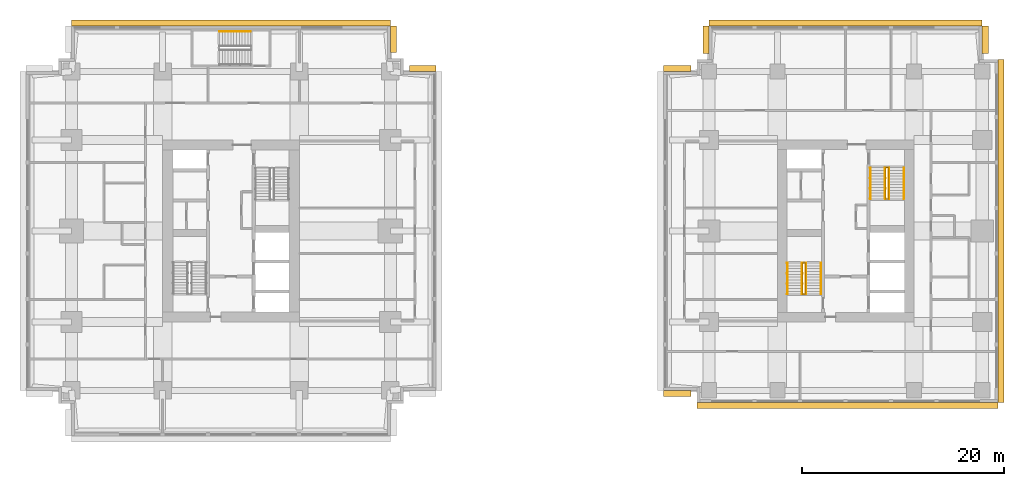
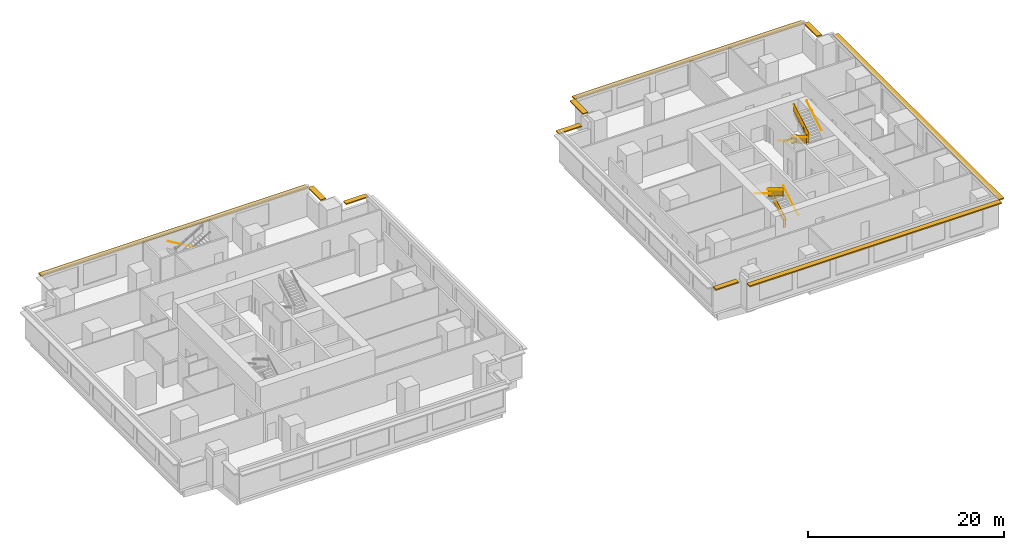
# One storey, part 10 of 10: 11 railings, 10 shading devices.
"""IFC4 building model written with IfcOpenShell, lengths in metres."""

from ifc_helpers import new_model, si_unit, direction, frame, origin, origin_2d, place, context, subcontext, project, spatial, polyline, rectangle, circle, outline, extrude, material, layer, layer_set, type_object, element, save


model = new_model("IFC4")

# Units and contexts
model_context = context("Model", 3, precision=1e-05, world=origin(), true_north=direction((0.0, 1.0)))
body_context = subcontext(model_context, "Body", "Model", "MODEL_VIEW")
ifc_project = project(units=[si_unit("LENGTHUNIT", "METRE"), si_unit("AREAUNIT", "SQUARE_METRE"), si_unit("VOLUMEUNIT", "CUBIC_METRE"), si_unit("PLANEANGLEUNIT", "RADIAN"), si_unit("MASSUNIT", "GRAM", prefix="KILO")], contexts=[model_context])

# Site, building, storey
site_placement = place(None, origin())
site = spatial("IfcSite", under=ifc_project, at=site_placement, CompositionType="ELEMENT")
building_placement = place(site_placement, origin())
building = spatial("IfcBuilding", under=site, at=building_placement, Name="Namib Vertical Campus", CompositionType="ELEMENT")
storey_placement = place(building_placement, frame((0.0, 0.0, 149.0)))
storey = spatial("IfcBuildingStorey", under=building, at=storey_placement, Name="L35", CompositionType="ELEMENT", Elevation=149.0)

# Railings
ifc_material_1 = material(Name="Steel handrail", Category="steel")
railing_type_1 = type_object("IfcRailingType", Name="Handrail 900", PredefinedType="HANDRAIL", material=ifc_material_1)
railing_1_placement = place(storey_placement, frame((78.550048828125, 14.0, 0.166748046875)))
element("IfcRailing", 1, at=railing_1_placement, inside=storey, type_object=railing_type_1, Name="Handrail HR1 B-S1 L35 1", PredefinedType="HANDRAIL", context=body_context, shape_type="SweptSolid", body=[
    extrude(circle(Radius=0.02392578125, at=origin_2d()), frame((0.0, 0.0, 0.8759765625), z_axis=(0.0, 0.859308565015, 0.511457515432), x_axis=(-1.0, 0.0, 0.0)), (0.0, 0.0, 1.0), 3.58447265625),
    extrude(circle(Radius=0.008056640625, at=origin_2d()), frame((0.0, 0.0, 0.8759765625), z_axis=(1.0, 0.0, 0.0), x_axis=(0.0, 0.0, 1.0)), (0.0, 0.0, 1.0), 0.050048828125),
    extrude(circle(Radius=0.008056640625, at=origin_2d()), frame((0.0, 1.026611328125, 1.48681640625), z_axis=(1.0, 0.0, 0.0), x_axis=(0.0, 0.0, 1.0)), (0.0, 0.0, 1.0), 0.050048828125),
    extrude(circle(Radius=0.008056640625, at=origin_2d()), frame((0.0, 2.053466796875, 2.09814453125), z_axis=(1.0, 0.0, 0.0), x_axis=(0.0, 0.0, 1.0)), (0.0, 0.0, 1.0), 0.050048828125),
    extrude(circle(Radius=0.008056640625, at=origin_2d()), frame((0.0, 3.080078125, 2.708984375), z_axis=(1.0, 0.0, 0.0), x_axis=(0.0, 0.0, 1.0)), (0.0, 0.0, 1.0), 0.050048828125),
])
railing_2_placement = place(storey_placement, frame((75.25, 17.080078125, 2.166748046875)))
element("IfcRailing", 2, at=railing_2_placement, inside=storey, type_object=railing_type_1, Name="Handrail HR1 B-S1 L35 2", PredefinedType="HANDRAIL", context=body_context, shape_type="SweptSolid", body=[
    extrude(circle(Radius=0.02392578125, at=origin_2d()), frame((0.0, 0.0, 0.8759765625), z_axis=(0.0, -0.859308565015, 0.511457515432), x_axis=(1.0, 0.0, 0.0)), (0.0, 0.0, 1.0), 3.58447265625),
    extrude(circle(Radius=0.008056640625, at=origin_2d()), frame((0.0, 0.0, 0.8759765625), z_axis=(-1.0, 0.0, 0.0), x_axis=(0.0, 0.0, 1.0)), (0.0, 0.0, 1.0), 0.050048828125),
    extrude(circle(Radius=0.008056640625, at=origin_2d()), frame((0.0, -1.026611328125, 1.48681640625), z_axis=(-1.0, 0.0, 0.0), x_axis=(0.0, 0.0, 1.0)), (0.0, 0.0, 1.0), 0.050048828125),
    extrude(circle(Radius=0.008056640625, at=origin_2d()), frame((0.0, -2.053466796875, 2.09814453125), z_axis=(-1.0, 0.0, 0.0), x_axis=(0.0, 0.0, 1.0)), (0.0, 0.0, 1.0), 0.050048828125),
    extrude(circle(Radius=0.008056640625, at=origin_2d()), frame((0.0, -3.080078125, 2.708984375), z_axis=(-1.0, 0.0, 0.0), x_axis=(0.0, 0.0, 1.0)), (0.0, 0.0, 1.0), 0.050048828125),
])
railing_3_placement = place(storey_placement, frame((77.10009765625, 14.0, 0.166748046875)))
element("IfcRailing", 3, at=railing_3_placement, inside=storey, type_object=railing_type_1, Name="Handrail HR1 B-S1 L35 1 at the well", PredefinedType="HANDRAIL", context=body_context, shape_type="SweptSolid", body=[
    extrude(circle(Radius=0.02392578125, at=origin_2d()), frame((0.0, 0.0, 0.8759765625), z_axis=(0.0, 0.859308565015, 0.511457515432), x_axis=(-1.0, 0.0, 0.0)), (0.0, 0.0, 1.0), 3.58447265625),
    extrude(circle(Radius=0.008056640625, at=origin_2d()), frame((0.0, 0.0, 0.8759765625), z_axis=(-1.0, 0.0, 0.0), x_axis=(0.0, 0.0, 1.0)), (0.0, 0.0, 1.0), 0.0400390625),
    extrude(circle(Radius=0.008056640625, at=origin_2d()), frame((0.0, 1.026611328125, 1.48681640625), z_axis=(-1.0, 0.0, 0.0), x_axis=(0.0, 0.0, 1.0)), (0.0, 0.0, 1.0), 0.0400390625),
    extrude(circle(Radius=0.008056640625, at=origin_2d()), frame((0.0, 2.053466796875, 2.09814453125), z_axis=(-1.0, 0.0, 0.0), x_axis=(0.0, 0.0, 1.0)), (0.0, 0.0, 1.0), 0.0400390625),
    extrude(circle(Radius=0.008056640625, at=origin_2d()), frame((0.0, 3.080078125, 2.708984375), z_axis=(-1.0, 0.0, 0.0), x_axis=(0.0, 0.0, 1.0)), (0.0, 0.0, 1.0), 0.0400390625),
])
railing_4_placement = place(storey_placement, frame((76.699951171875, 17.080078125, 2.166748046875)))
element("IfcRailing", 4, at=railing_4_placement, inside=storey, type_object=railing_type_1, Name="Handrail HR1 B-S1 L35 2 at the well", PredefinedType="HANDRAIL", context=body_context, shape_type="SweptSolid", body=[
    extrude(circle(Radius=0.02392578125, at=origin_2d()), frame((0.0, 0.0, 0.8759765625), z_axis=(0.0, -0.859308565015, 0.511457515432), x_axis=(1.0, 0.0, 0.0)), (0.0, 0.0, 1.0), 3.58447265625),
    extrude(circle(Radius=0.008056640625, at=origin_2d()), frame((0.0, 0.0, 0.8759765625), z_axis=(1.0, 0.0, 0.0), x_axis=(0.0, 0.0, 1.0)), (0.0, 0.0, 1.0), 0.0400390625),
    extrude(circle(Radius=0.008056640625, at=origin_2d()), frame((0.0, -1.026611328125, 1.48681640625), z_axis=(1.0, 0.0, 0.0), x_axis=(0.0, 0.0, 1.0)), (0.0, 0.0, 1.0), 0.0400390625),
    extrude(circle(Radius=0.008056640625, at=origin_2d()), frame((0.0, -2.053466796875, 2.09814453125), z_axis=(1.0, 0.0, 0.0), x_axis=(0.0, 0.0, 1.0)), (0.0, 0.0, 1.0), 0.0400390625),
    extrude(circle(Radius=0.008056640625, at=origin_2d()), frame((0.0, -3.080078125, 2.708984375), z_axis=(1.0, 0.0, 0.0), x_axis=(0.0, 0.0, 1.0)), (0.0, 0.0, 1.0), 0.0400390625),
])
railing_5_placement = place(storey_placement, frame((83.449951171875, 26.5, 0.166748046875)))
element("IfcRailing", 5, at=railing_5_placement, inside=storey, type_object=railing_type_1, Name="Handrail HR1 B-S2 L35 1", PredefinedType="HANDRAIL", context=body_context, shape_type="SweptSolid", body=[
    extrude(circle(Radius=0.02392578125, at=origin_2d()), frame((0.0, 0.0, 0.8759765625), z_axis=(0.0, -0.859308565015, 0.511457515432), x_axis=(1.0, 0.0, 0.0)), (0.0, 0.0, 1.0), 3.58447265625),
    extrude(circle(Radius=0.008056640625, at=origin_2d()), frame((0.0, 0.0, 0.8759765625), z_axis=(-1.0, 0.0, 0.0), x_axis=(0.0, 0.0, 1.0)), (0.0, 0.0, 1.0), 0.050048828125),
    extrude(circle(Radius=0.008056640625, at=origin_2d()), frame((0.0, -1.026611328125, 1.48681640625), z_axis=(-1.0, 0.0, 0.0), x_axis=(0.0, 0.0, 1.0)), (0.0, 0.0, 1.0), 0.050048828125),
    extrude(circle(Radius=0.008056640625, at=origin_2d()), frame((0.0, -2.053466796875, 2.09814453125), z_axis=(-1.0, 0.0, 0.0), x_axis=(0.0, 0.0, 1.0)), (0.0, 0.0, 1.0), 0.050048828125),
    extrude(circle(Radius=0.008056640625, at=origin_2d()), frame((0.0, -3.080078125, 2.708984375), z_axis=(-1.0, 0.0, 0.0), x_axis=(0.0, 0.0, 1.0)), (0.0, 0.0, 1.0), 0.050048828125),
])
railing_6_placement = place(storey_placement, frame((86.75, 23.419921875, 2.166748046875)))
element("IfcRailing", 6, at=railing_6_placement, inside=storey, type_object=railing_type_1, Name="Handrail HR1 B-S2 L35 2", PredefinedType="HANDRAIL", context=body_context, shape_type="SweptSolid", body=[
    extrude(circle(Radius=0.02392578125, at=origin_2d()), frame((0.0, 0.0, 0.8759765625), z_axis=(0.0, 0.859308565015, 0.511457515432), x_axis=(-1.0, 0.0, 0.0)), (0.0, 0.0, 1.0), 3.58447265625),
    extrude(circle(Radius=0.008056640625, at=origin_2d()), frame((0.0, 0.0, 0.8759765625), z_axis=(1.0, 0.0, 0.0), x_axis=(0.0, 0.0, 1.0)), (0.0, 0.0, 1.0), 0.050048828125),
    extrude(circle(Radius=0.008056640625, at=origin_2d()), frame((0.0, 1.026611328125, 1.48681640625), z_axis=(1.0, 0.0, 0.0), x_axis=(0.0, 0.0, 1.0)), (0.0, 0.0, 1.0), 0.050048828125),
    extrude(circle(Radius=0.008056640625, at=origin_2d()), frame((0.0, 2.053466796875, 2.09814453125), z_axis=(1.0, 0.0, 0.0), x_axis=(0.0, 0.0, 1.0)), (0.0, 0.0, 1.0), 0.050048828125),
    extrude(circle(Radius=0.008056640625, at=origin_2d()), frame((0.0, 3.080078125, 2.708984375), z_axis=(1.0, 0.0, 0.0), x_axis=(0.0, 0.0, 1.0)), (0.0, 0.0, 1.0), 0.050048828125),
])
railing_7_placement = place(storey_placement, frame((84.89990234375, 26.5, 0.166748046875)))
element("IfcRailing", 7, at=railing_7_placement, inside=storey, type_object=railing_type_1, Name="Handrail HR1 B-S2 L35 1 at the well", PredefinedType="HANDRAIL", context=body_context, shape_type="SweptSolid", body=[
    extrude(circle(Radius=0.02392578125, at=origin_2d()), frame((0.0, 0.0, 0.8759765625), z_axis=(0.0, -0.859308565015, 0.511457515432), x_axis=(1.0, 0.0, 0.0)), (0.0, 0.0, 1.0), 3.58447265625),
    extrude(circle(Radius=0.008056640625, at=origin_2d()), frame((0.0, 0.0, 0.8759765625), z_axis=(1.0, 0.0, 0.0), x_axis=(0.0, 0.0, 1.0)), (0.0, 0.0, 1.0), 0.0400390625),
    extrude(circle(Radius=0.008056640625, at=origin_2d()), frame((0.0, -1.026611328125, 1.48681640625), z_axis=(1.0, 0.0, 0.0), x_axis=(0.0, 0.0, 1.0)), (0.0, 0.0, 1.0), 0.0400390625),
    extrude(circle(Radius=0.008056640625, at=origin_2d()), frame((0.0, -2.053466796875, 2.09814453125), z_axis=(1.0, 0.0, 0.0), x_axis=(0.0, 0.0, 1.0)), (0.0, 0.0, 1.0), 0.0400390625),
    extrude(circle(Radius=0.008056640625, at=origin_2d()), frame((0.0, -3.080078125, 2.708984375), z_axis=(1.0, 0.0, 0.0), x_axis=(0.0, 0.0, 1.0)), (0.0, 0.0, 1.0), 0.0400390625),
])
railing_8_placement = place(storey_placement, frame((85.300048828125, 23.419921875, 2.166748046875)))
element("IfcRailing", 8, at=railing_8_placement, inside=storey, type_object=railing_type_1, Name="Handrail HR1 B-S2 L35 2 at the well", PredefinedType="HANDRAIL", context=body_context, shape_type="SweptSolid", body=[
    extrude(circle(Radius=0.02392578125, at=origin_2d()), frame((0.0, 0.0, 0.8759765625), z_axis=(0.0, 0.859308565015, 0.511457515432), x_axis=(-1.0, 0.0, 0.0)), (0.0, 0.0, 1.0), 3.58447265625),
    extrude(circle(Radius=0.008056640625, at=origin_2d()), frame((0.0, 0.0, 0.8759765625), z_axis=(-1.0, 0.0, 0.0), x_axis=(0.0, 0.0, 1.0)), (0.0, 0.0, 1.0), 0.0400390625),
    extrude(circle(Radius=0.008056640625, at=origin_2d()), frame((0.0, 1.026611328125, 1.48681640625), z_axis=(-1.0, 0.0, 0.0), x_axis=(0.0, 0.0, 1.0)), (0.0, 0.0, 1.0), 0.0400390625),
    extrude(circle(Radius=0.008056640625, at=origin_2d()), frame((0.0, 2.053466796875, 2.09814453125), z_axis=(-1.0, 0.0, 0.0), x_axis=(0.0, 0.0, 1.0)), (0.0, 0.0, 1.0), 0.0400390625),
    extrude(circle(Radius=0.008056640625, at=origin_2d()), frame((0.0, 3.080078125, 2.708984375), z_axis=(-1.0, 0.0, 0.0), x_axis=(0.0, 0.0, 1.0)), (0.0, 0.0, 1.0), 0.0400390625),
])
railing_9_placement = place(storey_placement, frame((22.199951171875, 39.949951171875, 0.166748046875)))
element("IfcRailing", 9, at=railing_9_placement, inside=storey, type_object=railing_type_1, Name="Handrail HR1 A-S3 L35 1", PredefinedType="HANDRAIL", context=body_context, shape_type="SweptSolid", body=[
    extrude(circle(Radius=0.02392578125, at=origin_2d()), frame((0.0, 0.0, 0.8759765625), z_axis=(-0.859290745958, 0.0, 0.51148745235), x_axis=(0.0, -1.0, 0.0)), (0.0, 0.0, 1.0), 3.584228515625),
    extrude(circle(Radius=0.008056640625, at=origin_2d()), frame((0.0, 0.0, 0.8759765625), z_axis=(0.0, 1.0, 0.0), x_axis=(0.0, 0.0, 1.0)), (0.0, 0.0, 1.0), 0.050048828125),
    extrude(circle(Radius=0.008056640625, at=origin_2d()), frame((-1.026611328125, 0.0, 1.48681640625), z_axis=(0.0, 1.0, 0.0), x_axis=(0.0, 0.0, 1.0)), (0.0, 0.0, 1.0), 0.050048828125),
    extrude(circle(Radius=0.008056640625, at=origin_2d()), frame((-2.05322265625, 0.0, 2.09814453125), z_axis=(0.0, 1.0, 0.0), x_axis=(0.0, 0.0, 1.0)), (0.0, 0.0, 1.0), 0.050048828125),
    extrude(circle(Radius=0.008056640625, at=origin_2d()), frame((-3.079833984375, 0.0, 2.708984375), z_axis=(0.0, 1.0, 0.0), x_axis=(0.0, 0.0, 1.0)), (0.0, 0.0, 1.0), 0.050048828125),
])
ifc_material_2 = material(Name="Steel balustrade", Category="steel")
railing_type_2 = type_object("IfcRailingType", Name="Stair guard 1100", PredefinedType="GUARDRAIL", material=ifc_material_2)
railing_10_placement = place(storey_placement, frame((76.75, 14.0, 0.0)))
element("IfcRailing", 10, at=railing_10_placement, inside=storey, type_object=railing_type_2, Name="Stair guard GR1 B-S1 L35", PredefinedType="GUARDRAIL", context=body_context, shape_type="SweptSolid", body=[
    extrude(circle(Radius=0.02392578125, at=origin_2d()), frame((0.0, 0.0, 1.076171875), z_axis=(1.0, 0.0, 0.0), x_axis=(0.0, 1.0, 0.0)), (0.0, 0.0, 1.0), 0.300048828125),
    extrude(outline(polyline([(0.02099609375, 0.050048828125), (0.279052734375, 0.050048828125), (0.279052734375, 1.052001953125), (0.02099609375, 1.052001953125), (0.02099609375, 0.050048828125)])), frame((0.0, 0.010009765625, 0.0), z_axis=(0.0, -1.0, 0.0), x_axis=(1.0, 0.0, 0.0)), (0.0, 0.0, 1.0), 0.02001953125),
    extrude(circle(Radius=0.02392578125, at=origin_2d()), frame((0.300048828125, 0.0, 1.076171875), z_axis=(0.0, 0.0, 1.0), x_axis=(1.0, 0.0, 0.0)), (0.0, 0.0, 1.0), 0.166748046875),
    extrude(circle(Radius=0.02392578125, at=origin_2d()), frame((0.300048828125, 0.0, 1.24267578125), z_axis=(0.0, 0.859308565015, 0.511457515432), x_axis=(-1.0, 0.0, 0.0)), (0.0, 0.0, 1.0), 3.58447265625),
    extrude(outline(polyline([(0.02099609375, 0.0625), (3.05908203125, 1.870849609375), (3.05908203125, 2.872802734375), (0.02099609375, 1.064453125), (0.02099609375, 0.0625)])), frame((0.2900390625, 0.0, 0.166748046875), z_axis=(1.0, 0.0, 0.0), x_axis=(0.0, 1.0, 0.0)), (0.0, 0.0, 1.0), 0.02001953125),
    extrude(circle(Radius=0.02392578125, at=origin_2d()), frame((0.300048828125, 3.080078125, 3.076171875), z_axis=(-1.0, 0.0, 0.0), x_axis=(0.0, -1.0, 0.0)), (0.0, 0.0, 1.0), 0.300048828125),
    extrude(outline(polyline([(0.02099609375, 0.050048828125), (0.279052734375, 0.050048828125), (0.279052734375, 1.052001953125), (0.02099609375, 1.052001953125), (0.02099609375, 0.050048828125)])), frame((0.300048828125, 3.070068359375, 2.0), z_axis=(0.0, 1.0, 0.0), x_axis=(-1.0, 0.0, 0.0)), (0.0, 0.0, 1.0), 0.02001953125),
    extrude(circle(Radius=0.02392578125, at=origin_2d()), frame((0.0, 3.080078125, 3.076171875), z_axis=(0.0, 0.0, 1.0), x_axis=(1.0, 0.0, 0.0)), (0.0, 0.0, 1.0), 0.166748046875),
    extrude(circle(Radius=0.02392578125, at=origin_2d()), frame((0.0, 3.080078125, 3.24267578125), z_axis=(0.0, -0.859308565015, 0.511457515432), x_axis=(1.0, 0.0, 0.0)), (0.0, 0.0, 1.0), 3.58447265625),
    extrude(outline(polyline([(0.02099609375, 0.0625), (3.05908203125, 1.870849609375), (3.05908203125, 2.872802734375), (0.02099609375, 1.064453125), (0.02099609375, 0.0625)])), frame((0.010009765625, 3.080078125, 2.166748046875), z_axis=(-1.0, 0.0, 0.0), x_axis=(0.0, -1.0, 0.0)), (0.0, 0.0, 1.0), 0.02001953125),
    extrude(circle(Radius=0.02392578125, at=origin_2d()), frame((0.0, 0.0, 5.076171875), z_axis=(0.0, -1.0, 0.0), x_axis=(1.0, 0.0, 0.0)), (0.0, 0.0, 1.0), 0.050048828125),
    extrude(outline(polyline([(0.02099609375, 0.050048828125), (0.029052734375, 0.050048828125), (0.029052734375, 1.052001953125), (0.02099609375, 1.052001953125), (0.02099609375, 0.050048828125)])), frame((0.010009765625, 0.0, 4.0), z_axis=(-1.0, 0.0, 0.0), x_axis=(0.0, -1.0, 0.0)), (0.0, 0.0, 1.0), 0.02001953125),
    extrude(circle(Radius=0.02099609375, at=origin_2d()), origin(), (0.0, 0.0, 1.0), 1.052001953125),
    extrude(circle(Radius=0.02099609375, at=origin_2d()), frame((0.300048828125, 0.0, 0.166748046875)), (0.0, 0.0, 1.0), 1.052001953125),
    extrude(circle(Radius=0.02099609375, at=origin_2d()), frame((0.300048828125, 1.026611328125, 0.666748046875)), (0.0, 0.0, 1.0), 1.1630859375),
    extrude(circle(Radius=0.02099609375, at=origin_2d()), frame((0.300048828125, 2.053466796875, 1.33349609375)), (0.0, 0.0, 1.0), 1.107421875),
    extrude(circle(Radius=0.02099609375, at=origin_2d()), frame((0.300048828125, 3.080078125, 2.0)), (0.0, 0.0, 1.0), 1.052001953125),
    extrude(circle(Radius=0.02099609375, at=origin_2d()), frame((0.0, 3.080078125, 2.166748046875)), (0.0, 0.0, 1.0), 1.052001953125),
    extrude(circle(Radius=0.02099609375, at=origin_2d()), frame((0.0, 2.053466796875, 2.666748046875)), (0.0, 0.0, 1.0), 1.1630859375),
    extrude(circle(Radius=0.02099609375, at=origin_2d()), frame((0.0, 1.026611328125, 3.33349609375)), (0.0, 0.0, 1.0), 1.107421875),
    extrude(circle(Radius=0.02099609375, at=origin_2d()), frame((0.0, 0.0, 4.0)), (0.0, 0.0, 1.0), 1.052001953125),
    extrude(circle(Radius=0.02099609375, at=origin_2d()), frame((0.0, -0.050048828125, 4.0)), (0.0, 0.0, 1.0), 1.052001953125),
])
railing_11_placement = place(storey_placement, frame((85.25, 26.5, 0.0)))
element("IfcRailing", 11, at=railing_11_placement, inside=storey, type_object=railing_type_2, Name="Stair guard GR1 B-S2 L35", PredefinedType="GUARDRAIL", context=body_context, shape_type="SweptSolid", body=[
    extrude(circle(Radius=0.02392578125, at=origin_2d()), frame((0.0, 0.0, 1.076171875), z_axis=(-1.0, 0.0, 0.0), x_axis=(0.0, -1.0, 0.0)), (0.0, 0.0, 1.0), 0.300048828125),
    extrude(outline(polyline([(0.02099609375, 0.050048828125), (0.279052734375, 0.050048828125), (0.279052734375, 1.052001953125), (0.02099609375, 1.052001953125), (0.02099609375, 0.050048828125)])), frame((0.0, -0.010009765625, 0.0), z_axis=(0.0, 1.0, 0.0), x_axis=(-1.0, 0.0, 0.0)), (0.0, 0.0, 1.0), 0.02001953125),
    extrude(circle(Radius=0.02392578125, at=origin_2d()), frame((-0.300048828125, 0.0, 1.076171875), z_axis=(0.0, 0.0, 1.0), x_axis=(1.0, 0.0, 0.0)), (0.0, 0.0, 1.0), 0.166748046875),
    extrude(circle(Radius=0.02392578125, at=origin_2d()), frame((-0.300048828125, 0.0, 1.24267578125), z_axis=(0.0, -0.859308565015, 0.511457515432), x_axis=(1.0, 0.0, 0.0)), (0.0, 0.0, 1.0), 3.58447265625),
    extrude(outline(polyline([(0.02099609375, 0.0625), (3.05908203125, 1.870849609375), (3.05908203125, 2.872802734375), (0.02099609375, 1.064453125), (0.02099609375, 0.0625)])), frame((-0.2900390625, 0.0, 0.166748046875), z_axis=(-1.0, 0.0, 0.0), x_axis=(0.0, -1.0, 0.0)), (0.0, 0.0, 1.0), 0.02001953125),
    extrude(circle(Radius=0.02392578125, at=origin_2d()), frame((-0.300048828125, -3.080078125, 3.076171875), z_axis=(1.0, 0.0, 0.0), x_axis=(0.0, 1.0, 0.0)), (0.0, 0.0, 1.0), 0.300048828125),
    extrude(outline(polyline([(0.02099609375, 0.050048828125), (0.279052734375, 0.050048828125), (0.279052734375, 1.052001953125), (0.02099609375, 1.052001953125), (0.02099609375, 0.050048828125)])), frame((-0.300048828125, -3.070068359375, 2.0), z_axis=(0.0, -1.0, 0.0), x_axis=(1.0, 0.0, 0.0)), (0.0, 0.0, 1.0), 0.02001953125),
    extrude(circle(Radius=0.02392578125, at=origin_2d()), frame((0.0, -3.080078125, 3.076171875), z_axis=(0.0, 0.0, 1.0), x_axis=(1.0, 0.0, 0.0)), (0.0, 0.0, 1.0), 0.166748046875),
    extrude(circle(Radius=0.02392578125, at=origin_2d()), frame((0.0, -3.080078125, 3.24267578125), z_axis=(0.0, 0.859308565015, 0.511457515432), x_axis=(-1.0, 0.0, 0.0)), (0.0, 0.0, 1.0), 3.58447265625),
    extrude(outline(polyline([(0.02099609375, 0.0625), (3.05908203125, 1.870849609375), (3.05908203125, 2.872802734375), (0.02099609375, 1.064453125), (0.02099609375, 0.0625)])), frame((-0.010009765625, -3.080078125, 2.166748046875), z_axis=(1.0, 0.0, 0.0), x_axis=(0.0, 1.0, 0.0)), (0.0, 0.0, 1.0), 0.02001953125),
    extrude(circle(Radius=0.02392578125, at=origin_2d()), frame((0.0, 0.0, 5.076171875), z_axis=(0.0, 1.0, 0.0), x_axis=(-1.0, 0.0, 0.0)), (0.0, 0.0, 1.0), 0.050048828125),
    extrude(outline(polyline([(0.02099609375, 0.050048828125), (0.029052734375, 0.050048828125), (0.029052734375, 1.052001953125), (0.02099609375, 1.052001953125), (0.02099609375, 0.050048828125)])), frame((-0.010009765625, 0.0, 4.0), z_axis=(1.0, 0.0, 0.0), x_axis=(0.0, 1.0, 0.0)), (0.0, 0.0, 1.0), 0.02001953125),
    extrude(circle(Radius=0.02099609375, at=origin_2d()), origin(), (0.0, 0.0, 1.0), 1.052001953125),
    extrude(circle(Radius=0.02099609375, at=origin_2d()), frame((-0.300048828125, 0.0, 0.166748046875)), (0.0, 0.0, 1.0), 1.052001953125),
    extrude(circle(Radius=0.02099609375, at=origin_2d()), frame((-0.300048828125, -1.026611328125, 0.666748046875)), (0.0, 0.0, 1.0), 1.1630859375),
    extrude(circle(Radius=0.02099609375, at=origin_2d()), frame((-0.300048828125, -2.053466796875, 1.33349609375)), (0.0, 0.0, 1.0), 1.107421875),
    extrude(circle(Radius=0.02099609375, at=origin_2d()), frame((-0.300048828125, -3.080078125, 2.0)), (0.0, 0.0, 1.0), 1.052001953125),
    extrude(circle(Radius=0.02099609375, at=origin_2d()), frame((0.0, -3.080078125, 2.166748046875)), (0.0, 0.0, 1.0), 1.052001953125),
    extrude(circle(Radius=0.02099609375, at=origin_2d()), frame((0.0, -2.053466796875, 2.666748046875)), (0.0, 0.0, 1.0), 1.1630859375),
    extrude(circle(Radius=0.02099609375, at=origin_2d()), frame((0.0, -1.026611328125, 3.33349609375)), (0.0, 0.0, 1.0), 1.107421875),
    extrude(circle(Radius=0.02099609375, at=origin_2d()), frame((0.0, 0.0, 4.0)), (0.0, 0.0, 1.0), 1.052001953125),
    extrude(circle(Radius=0.02099609375, at=origin_2d()), frame((0.0, 0.050048828125, 4.0)), (0.0, 0.0, 1.0), 1.052001953125),
])

# Shading devices
ifc_material_3 = material(Name="Concrete C40/50 precast", Category="concrete")
ifc_layer = layer(ifc_material_3, 0.14990234375)
ifc_layer_set = layer_set([ifc_layer], Name="Concrete C40/50 precast")
shading_device_type = type_object("IfcShadingDeviceType", Name="Sunshade hood 600", PredefinedType="SHUTTER", material=ifc_layer_set)
for number, where, z_axis, x_axis, name in (
    (12, (39.199951171875, 36.300048828125, 3.199951171875), (0.0, 0.0, 1.0), (-1.0, 0.0, 0.0), "Sunshade SH3 L35 7"),
    (13, (36.300048828125, 39.199951171875, 3.199951171875), (0.0, 0.0, 1.0), (0.0, 1.0, 0.0), "Sunshade SH3 L35 10"),
):
    element("IfcShadingDevice", number, at=place(storey_placement, frame(where, z_axis=z_axis, x_axis=x_axis)), inside=storey, type_object=shading_device_type, Name=name, PredefinedType="SHUTTER", context=body_context, shape_type="SweptSolid", body=[
        extrude(rectangle(XDim=2.60009765625, YDim=0.60009765625, at=origin_2d()), origin(), (0.0, 0.0, 1.0), 0.14990234375),
    ])
shading_device_1_placement = place(storey_placement, frame((20.25, 40.800048828125, 3.199951171875), z_axis=(0.0, 0.0, 1.0), x_axis=(-1.0, 0.0, 0.0)))
element("IfcShadingDevice", 14, at=shading_device_1_placement, inside=storey, type_object=shading_device_type, Name="Sunshade SH3 L35 11", PredefinedType="SHUTTER", context=body_context, shape_type="SweptSolid", body=[
    extrude(rectangle(XDim=31.5, YDim=0.60009765625, at=origin_2d()), origin(), (0.0, 0.0, 1.0), 0.14990234375),
])
shading_device_2_placement = place(storey_placement, frame((64.35009765625, 4.199951171875, 3.199951171875), z_axis=(0.0, 0.0, 1.0), x_axis=(1.0, 0.0, 0.0)))
element("IfcShadingDevice", 15, at=shading_device_2_placement, inside=storey, type_object=shading_device_type, Name="Sunshade SH3 L35 1", PredefinedType="SHUTTER", context=body_context, shape_type="SweptSolid", body=[
    extrude(rectangle(XDim=2.699951171875, YDim=0.60009765625, at=origin_2d()), origin(), (0.0, 0.0, 1.0), 0.14990234375),
])
shading_device_3_placement = place(storey_placement, frame((81.175048828125, 3.0, 3.199951171875), z_axis=(0.0, 0.0, 1.0), x_axis=(1.0, 0.0, 0.0)))
element("IfcShadingDevice", 16, at=shading_device_3_placement, inside=storey, type_object=shading_device_type, Name="Sunshade SH3 L35 3", PredefinedType="SHUTTER", context=body_context, shape_type="SweptSolid", body=[
    extrude(rectangle(XDim=29.75, YDim=0.60009765625, at=origin_2d()), origin(), (0.0, 0.0, 1.0), 0.14990234375),
])
shading_device_4_placement = place(storey_placement, frame((96.35009765625, 20.25, 3.199951171875), z_axis=(0.0, 0.0, 1.0), x_axis=(0.0, 1.0, 0.0)))
element("IfcShadingDevice", 17, at=shading_device_4_placement, inside=storey, type_object=shading_device_type, Name="Sunshade SH3 L35 4", PredefinedType="SHUTTER", context=body_context, shape_type="SweptSolid", body=[
    extrude(rectangle(XDim=33.89990234375, YDim=0.60009765625, at=origin_2d()), origin(), (0.0, 0.0, 1.0), 0.14990234375),
])
shading_device_5_placement = place(storey_placement, frame((94.800048828125, 39.14990234375, 3.199951171875), z_axis=(0.0, 0.0, 1.0), x_axis=(0.0, 1.0, 0.0)))
element("IfcShadingDevice", 18, at=shading_device_5_placement, inside=storey, type_object=shading_device_type, Name="Sunshade SH3 L35 6", PredefinedType="SHUTTER", context=body_context, shape_type="SweptSolid", body=[
    extrude(rectangle(XDim=2.699951171875, YDim=0.60009765625, at=origin_2d()), origin(), (0.0, 0.0, 1.0), 0.14990234375),
])
shading_device_6_placement = place(storey_placement, frame((81.0, 40.800048828125, 3.199951171875), z_axis=(0.0, 0.0, 1.0), x_axis=(-1.0, 0.0, 0.0)))
element("IfcShadingDevice", 19, at=shading_device_6_placement, inside=storey, type_object=shading_device_type, Name="Sunshade SH3 L35 7", PredefinedType="SHUTTER", context=body_context, shape_type="SweptSolid", body=[
    extrude(rectangle(XDim=27.0, YDim=0.60009765625, at=origin_2d()), origin(), (0.0, 0.0, 1.0), 0.14990234375),
])
for number, where, z_axis, x_axis, name in (
    (20, (67.199951171875, 39.14990234375, 3.199951171875), (0.0, 0.0, 1.0), (0.0, -1.0, 0.0), "Sunshade SH3 L35 8"),
    (21, (64.35009765625, 36.300048828125, 3.199951171875), (0.0, 0.0, 1.0), (-1.0, 0.0, 0.0), "Sunshade SH3 L35 11"),
):
    element("IfcShadingDevice", number, at=place(storey_placement, frame(where, z_axis=z_axis, x_axis=x_axis)), inside=storey, type_object=shading_device_type, Name=name, PredefinedType="SHUTTER", context=body_context, shape_type="SweptSolid", body=[
        extrude(rectangle(XDim=2.699951171875, YDim=0.60009765625, at=origin_2d()), origin(), (0.0, 0.0, 1.0), 0.14990234375),
    ])

save(model, "model.ifc")
